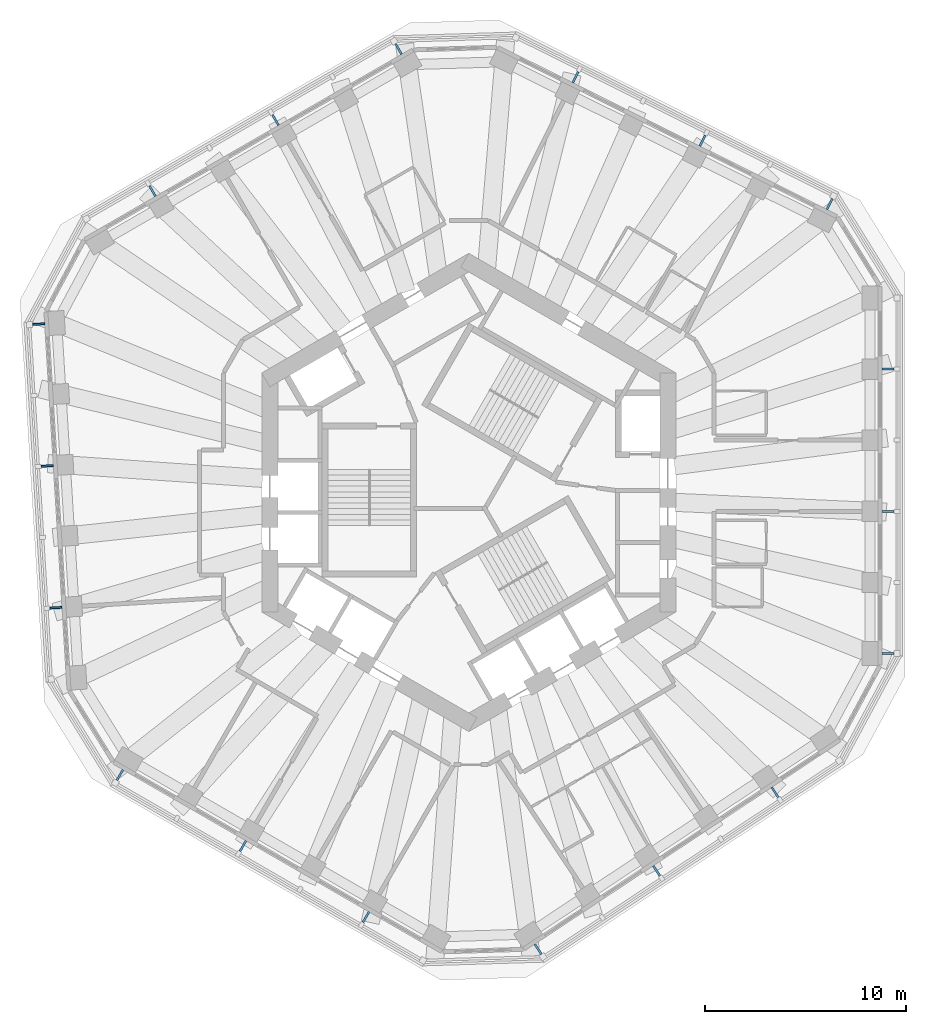
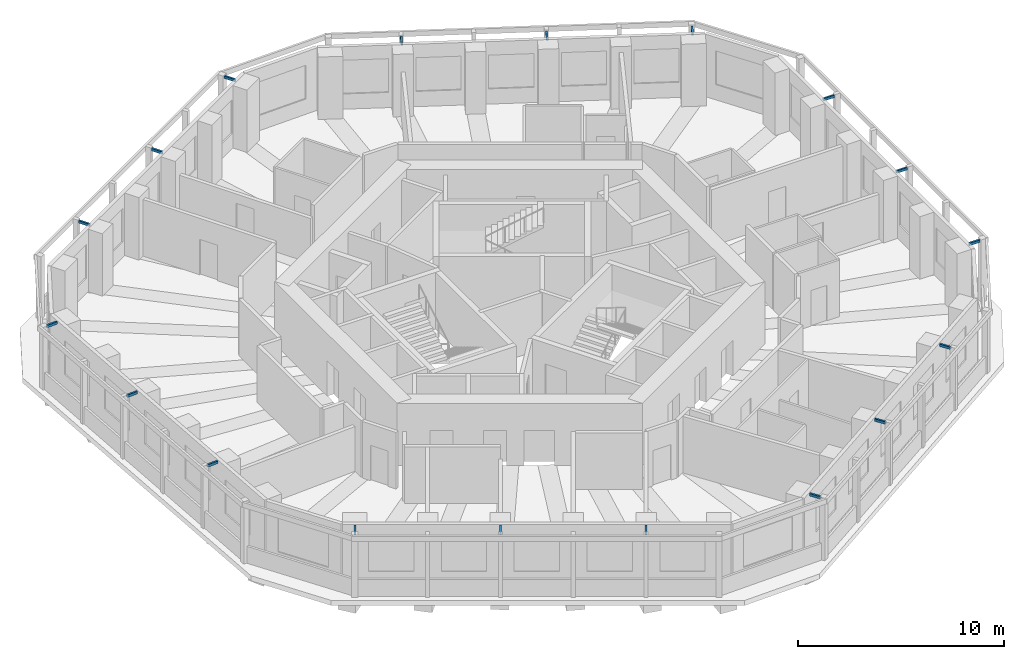
# One storey, part 10 of 11: 18 discrete accessories.
"""IFC4 building model written with IfcOpenShell, lengths in metres."""

from ifc_helpers import new_model, si_unit, direction, frame, origin, origin_2d, place, context, subcontext, project, spatial, rectangle, extrude, material, type_object, element, save


model = new_model("IFC4")

# Units and contexts
model_context = context("Model", 3, precision=1e-05, world=origin(), true_north=direction((0.0, 1.0)))
body_context = subcontext(model_context, "Body", "Model", "MODEL_VIEW")
ifc_project = project(units=[si_unit("LENGTHUNIT", "METRE"), si_unit("AREAUNIT", "SQUARE_METRE"), si_unit("VOLUMEUNIT", "CUBIC_METRE"), si_unit("PLANEANGLEUNIT", "RADIAN"), si_unit("MASSUNIT", "GRAM", prefix="KILO")], contexts=[model_context])

# Site, building, storey
site_placement = place(None, origin())
site = spatial("IfcSite", under=ifc_project, at=site_placement, CompositionType="ELEMENT")
building_placement = place(site_placement, origin())
building = spatial("IfcBuilding", under=site, at=building_placement, Name="Vanh Sen Convention Tower", CompositionType="ELEMENT")
storey_placement = place(building_placement, frame((0.0, 0.0, 210.60009765625)))
storey = spatial("IfcBuildingStorey", under=building, at=storey_placement, Name="L52", CompositionType="ELEMENT", Elevation=210.60009765625)

# Discrete accessories
ifc_material = material(Name="Steel S355", Category="steel")
discrete_accessory_type = type_object("IfcDiscreteAccessoryType", Name="Fin bracket 100 x 150", PredefinedType="BRACKET", material=ifc_material)
for number, where, z_axis, x_axis, name in (
    (1, (20.85009765625, -8.002685546875, 3.5), (0.0, 0.0, 1.0), (1.0, 0.0, 0.0), "Fin bracket E-1 L52"),
    (2, (20.85009765625, -0.935546875, 3.5), (0.0, 0.0, 1.0), (1.0, 0.0, 0.0), "Fin bracket E-3 L52"),
    (3, (20.85009765625, 6.131591796875, 3.5), (0.0, 0.0, 1.0), (1.0, 0.0, 0.0), "Fin bracket E-5 L52"),
    (4, (17.953125, 14.3466796875, 3.5), (0.0, 0.0, 1.0), (0.44619781311, 0.894934361602, 0.0), "Fin bracket NE-1 L52"),
    (5, (11.62841796875, 17.5, 3.5), (0.0, 0.0, 1.0), (0.44619781311, 0.894934361602, 0.0), "Fin bracket NE-3 L52"),
    (6, (5.3037109375, 20.653564453125, 3.5), (0.0, 0.0, 1.0), (0.44619781311, 0.894934361602, 0.0), "Fin bracket NE-5 L52"),
    (7, (-3.494384765625, 22.05810546875, 3.5), (0.0, 0.0, 1.0), (-0.5, 0.866025403784, 0.0), "Fin bracket NW-1 L52"),
    (8, (-9.61474609375, 18.5244140625, 3.5), (0.0, 0.0, 1.0), (-0.5, 0.866025403784, 0.0), "Fin bracket NW-3 L52"),
    (9, (-15.735107421875, 14.99072265625, 3.5), (0.0, 0.0, 1.0), (-0.5, 0.866025403784, 0.0), "Fin bracket NW-5 L52"),
    (10, (-21.401123046875, 8.37451171875, 3.5), (0.0, 0.0, 1.0), (-0.998134798422, -0.061048539535, 0.0), "Fin bracket W-1 L52"),
    (11, (-20.9697265625, 1.3203125, 3.5), (0.0, 0.0, 1.0), (-0.998134798422, -0.061048539535, 0.0), "Fin bracket W-3 L52"),
    (12, (-20.538330078125, -5.733642578125, 3.5), (0.0, 0.0, 1.0), (-0.998134798422, -0.061048539535, 0.0), "Fin bracket W-5 L52"),
    (13, (-17.355712890625, -14.05517578125, 3.5), (0.0, 0.0, 1.0), (-0.5, -0.866025403784, 0.0), "Fin bracket SW-1 L52"),
    (14, (-11.235107421875, -17.5888671875, 3.5), (0.0, 0.0, 1.0), (-0.5, -0.866025403784, 0.0), "Fin bracket SW-3 L52"),
    (15, (-5.11474609375, -21.12255859375, 3.5), (0.0, 0.0, 1.0), (-0.5, -0.866025403784, 0.0), "Fin bracket SW-5 L52"),
    (16, (3.447998046875, -22.72119140625, 3.5), (0.0, 0.0, 1.0), (0.551936985312, -0.833885822067, 0.0), "Fin bracket SE-1 L52"),
    (17, (9.34130859375, -18.820556640625, 3.5), (0.0, 0.0, 1.0), (0.551936985312, -0.833885822067, 0.0), "Fin bracket SE-3 L52"),
    (18, (15.234619140625, -14.919921875, 3.5), (0.0, 0.0, 1.0), (0.551936985312, -0.833885822067, 0.0), "Fin bracket SE-5 L52"),
):
    element("IfcDiscreteAccessory", number, at=place(storey_placement, frame(where, z_axis=z_axis, x_axis=x_axis)), inside=storey, type_object=discrete_accessory_type, Name=name, PredefinedType="BRACKET", context=body_context, shape_type="SweptSolid", body=[
        extrude(rectangle(XDim=0.60009765625, YDim=0.10009765625, at=origin_2d()), origin(), (0.0, 0.0, 1.0), 0.14990234375),
    ])

save(model, "model.ifc")
